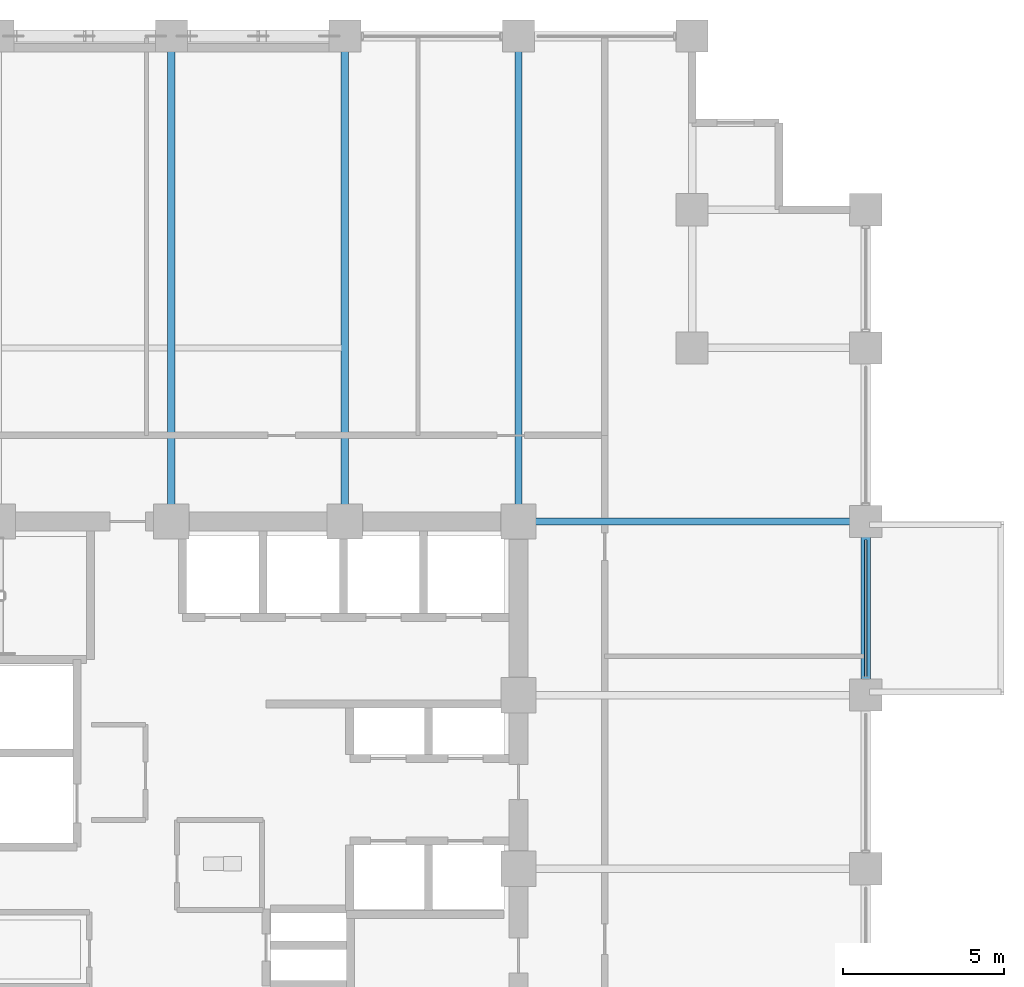
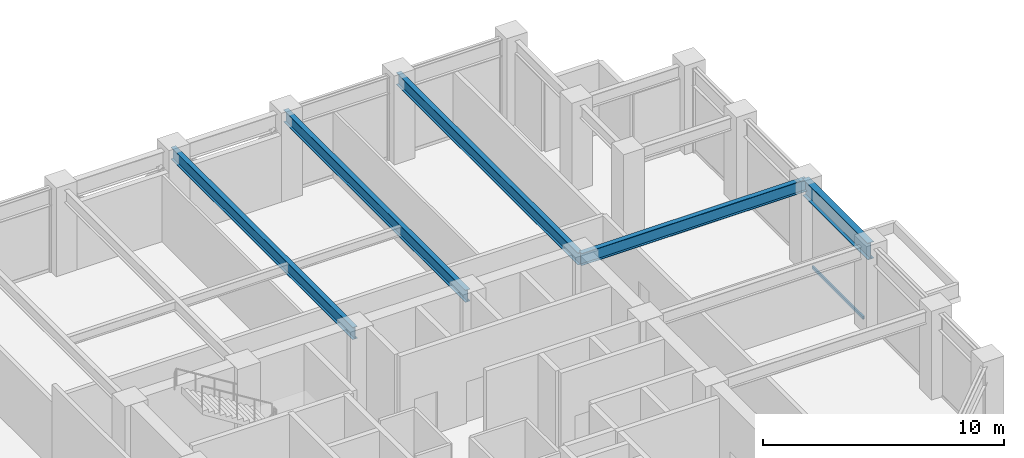
# One storey, part 13 of 25: 5 beams, 1 member, 1 element without a shape of its own.
"""IFC4 building model written with IfcOpenShell, lengths in metres."""

from ifc_helpers import new_model, si_unit, direction, frame, origin, origin_2d, place, context, subcontext, project, spatial, hollow_rectangle, i_section, extrude, material, layer, layer_set, material_profile, profile_set, type_object, element, aggregate, save


model = new_model("IFC4")

# Units and contexts
model_context = context("Model", 3, precision=1e-05, world=origin(), true_north=direction((0.0, 1.0)))
body_context = subcontext(model_context, "Body", "Model", "MODEL_VIEW")
ifc_project = project(units=[si_unit("LENGTHUNIT", "METRE"), si_unit("AREAUNIT", "SQUARE_METRE"), si_unit("VOLUMEUNIT", "CUBIC_METRE"), si_unit("PLANEANGLEUNIT", "RADIAN"), si_unit("MASSUNIT", "GRAM", prefix="KILO")], contexts=[model_context])

# Site, building, storey
site_placement = place(None, origin())
site = spatial("IfcSite", under=ifc_project, at=site_placement, CompositionType="ELEMENT")
building_placement = place(site_placement, origin())
building = spatial("IfcBuilding", under=site, at=building_placement, Name="Surkhivell Harbour Commons", CompositionType="ELEMENT")
storey_placement = place(building_placement, frame((0.0, 0.0, 162.0)))
storey = spatial("IfcBuildingStorey", under=building, at=storey_placement, Name="L42", CompositionType="ELEMENT", Elevation=162.0)

# Beams
ifc_material_1 = material(Name="Steel S355", Category="steel")
ifc_material_profile_1 = material_profile(ifc_material_1, i_section(OverallWidth=0.22998046875, OverallDepth=0.616943359375, WebThickness=0.01318359375, FlangeThickness=0.022216796875, at=origin_2d()), Name="UB610x229x140")
ifc_profile_set_1 = profile_set([ifc_material_profile_1], Name="Steel S355")
beam_type_1 = type_object("IfcBeamType", Name="BM-GRD-610B", PredefinedType="BEAM", material=ifc_profile_set_1)
for number, where, z_axis, x_axis, name in (
    (1, (0.0, 10.800048828125, 3.94140625), (0.0, 1.0, 0.0), (-1.0, 0.0, 0.0), "L42 Floor Girder (0.0,10.8)"),
    (2, (5.39990234375, 10.800048828125, 3.94140625), (0.0, 1.0, 0.0), (-1.0, 0.0, 0.0), "L42 Floor Girder (5.4,10.8)"),
    (3, (10.800048828125, 10.800048828125, 3.94140625), (0.0, 1.0, 0.0), (-1.0, 0.0, 0.0), "L42 Floor Girder (10.8,10.8)"),
):
    element("IfcBeam", number, at=place(storey_placement, frame(where, z_axis=z_axis, x_axis=x_axis)), inside=storey, type_object=beam_type_1, Name=name, PredefinedType="BEAM", context=body_context, shape_type="SweptSolid", body=[
        extrude(i_section(OverallWidth=0.22998046875, OverallDepth=0.616943359375, WebThickness=0.01318359375, FlangeThickness=0.022216796875, at=origin_2d()), origin(), (0.0, 0.0, 1.0), 15.099853515625),
    ])
beam_1_placement = place(storey_placement, frame((10.800048828125, 10.800048828125, 3.94140625), z_axis=(1.0, 0.0, 0.0), x_axis=(0.0, 1.0, 0.0)))
element("IfcBeam", 4, at=beam_1_placement, inside=storey, type_object=beam_type_1, Name="L42 Floor Girder (10.8,10.8)", PredefinedType="BEAM", context=body_context, shape_type="SweptSolid", body=[
    extrude(i_section(OverallWidth=0.22998046875, OverallDepth=0.616943359375, WebThickness=0.01318359375, FlangeThickness=0.022216796875, at=origin_2d()), origin(), (0.0, 0.0, 1.0), 10.800048828125),
])
ifc_material_2 = material(Name="Steel S460", Category="steel")
ifc_material_profile_2 = material_profile(ifc_material_2, i_section(OverallWidth=0.2939453125, OverallDepth=0.85107421875, WebThickness=0.01611328125, FlangeThickness=0.02685546875, at=origin_2d()), Name="UB838x292x226")
ifc_profile_set_2 = profile_set([ifc_material_profile_2], Name="Steel S460")
beam_type_2 = type_object("IfcBeamType", Name="BM-SPN-838", PredefinedType="SPANDREL", material=ifc_profile_set_2)
beam_2_placement = place(storey_placement, frame((21.60009765625, 5.39990234375, 3.824462890625), z_axis=(0.0, 1.0, 0.0), x_axis=(-1.0, 0.0, 0.0)))
element("IfcBeam", 5, at=beam_2_placement, inside=storey, type_object=beam_type_2, Name="L42 Tube Spandrel (21.6,5.4)", PredefinedType="SPANDREL", context=body_context, shape_type="SweptSolid", body=[
    extrude(i_section(OverallWidth=0.2939453125, OverallDepth=0.85107421875, WebThickness=0.01611328125, FlangeThickness=0.02685546875, at=origin_2d()), origin(), (0.0, 0.0, 1.0), 5.400146484375),
])

# Curtain wall, member
ifc_material_3 = material(Name="Anodised pale-metal aluminium and insulated glazing", Category="aluminium")
ifc_layer = layer(ifc_material_3, 0.205078125)
ifc_layer_set = layer_set([ifc_layer], Name="Anodised pale-metal aluminium and insulated glazing")
curtain_wall_type = type_object("IfcCurtainWallType", Name="CW-SYS-Z2", PredefinedType="NOTDEFINED", material=ifc_layer_set)
curtain_wall_placement = place(storey_placement, origin())
curtain_wall = element("IfcCurtainWall", 6, at=curtain_wall_placement, inside=storey, type_object=curtain_wall_type, Name="L42 Curtain Wall CW-L42-E02", PredefinedType="NOTDEFINED")
ifc_material_4 = material(Name="Anodised pale-metal aluminium alloy 6063-T6", Category="aluminium")
ifc_material_profile_3 = material_profile(ifc_material_4, hollow_rectangle(XDim=0.074951171875, YDim=0.14990234375, WallThickness=0.00341796875, at=origin_2d()), Name="ALU-TRAN-75x150")
ifc_profile_set_3 = profile_set([ifc_material_profile_3], Name="Anodised pale-metal aluminium alloy 6063-T6")
member_type = type_object("IfcMemberType", Name="CWT-150", PredefinedType="USERDEFINED", material=ifc_profile_set_3)
member_placement = place(storey_placement, frame((21.60009765625, 5.97705078125, 0.074951171875), z_axis=(0.0, 1.0, 0.0), x_axis=(-1.0, 0.0, 0.0)))
member = element("IfcMember", 7, at=member_placement, type_object=member_type, Name="CW-Z2 transom 3.1", ObjectType="TRANSOM", PredefinedType="USERDEFINED", context=body_context, shape_type="SweptSolid", body=[
    extrude(hollow_rectangle(XDim=0.074951171875, YDim=0.14990234375, WallThickness=0.00341796875, at=origin_2d()), origin(), (0.0, 0.0, 1.0), 4.245849609375),
])
aggregate(curtain_wall, [member])

save(model, "model.ifc")
